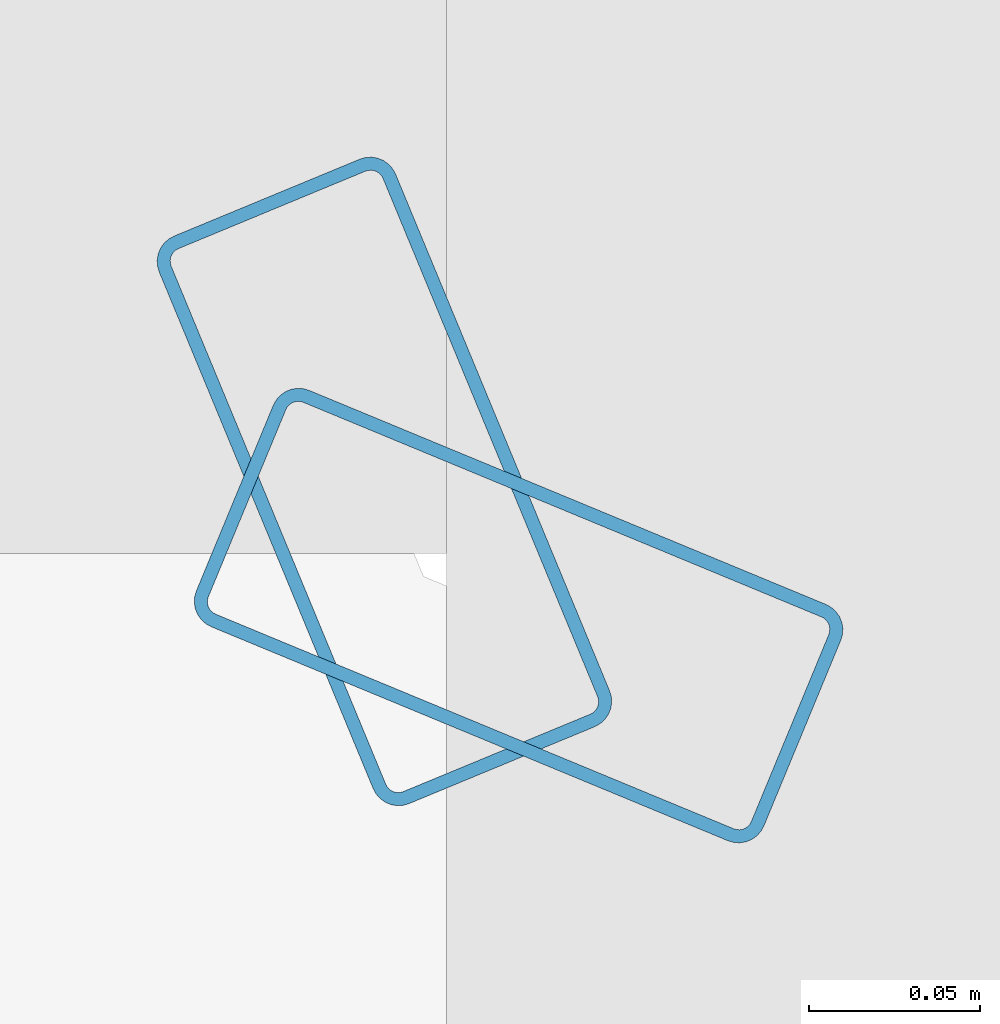
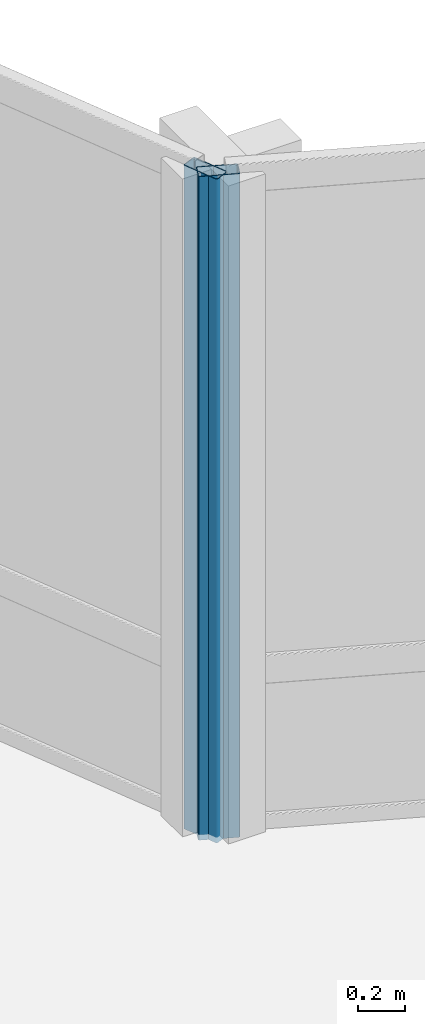
# One storey, part 8 of 27: 2 members, 2 elements without a shape of their own.
"""IFC4 building model written with IfcOpenShell, lengths in metres."""

from ifc_helpers import new_model, si_unit, direction, frame, origin, origin_2d, place, context, subcontext, project, spatial, hollow_rectangle, extrude, material, layer, layer_set, material_profile, profile_set, type_object, element, aggregate, save


model = new_model("IFC4")

# Units and contexts
model_context = context("Model", 3, precision=1e-05, world=origin(), true_north=direction((0.0, 1.0)))
body_context = subcontext(model_context, "Body", "Model", "MODEL_VIEW")
ifc_project = project(units=[si_unit("LENGTHUNIT", "METRE"), si_unit("AREAUNIT", "SQUARE_METRE"), si_unit("VOLUMEUNIT", "CUBIC_METRE"), si_unit("PLANEANGLEUNIT", "RADIAN"), si_unit("MASSUNIT", "GRAM", prefix="KILO")], contexts=[model_context])

# Site, building, storey
site_placement = place(None, origin())
site = spatial("IfcSite", under=ifc_project, at=site_placement, CompositionType="ELEMENT")
building_placement = place(site_placement, origin())
building = spatial("IfcBuilding", under=site, at=building_placement, Name="Solvaryn Broadcast Tower", CompositionType="ELEMENT")
storey_placement = place(building_placement, frame((0.0, 0.0, 181.60009765625)))
storey = spatial("IfcBuildingStorey", under=building, at=storey_placement, Name="L45", CompositionType="ELEMENT", Elevation=181.60009765625)

# Curtain wall, member
ifc_material_1 = material(Name="Aluminium and Terracotta Unitised Curtain Wall", Category="masonry")
ifc_layer = layer(ifc_material_1, 0.199951171875)
ifc_layer_set = layer_set([ifc_layer], Name="CW-SYS2-LOWMID")
curtain_wall_type = type_object("IfcCurtainWallType", Name="CW-SYS2-LOWMID", PredefinedType="NOTDEFINED", material=ifc_layer_set)
curtain_wall_1_placement = place(storey_placement, origin())
curtain_wall_1 = element("IfcCurtainWall", 1, at=curtain_wall_1_placement, inside=storey, type_object=curtain_wall_type, Name="L45 Curtain Wall CN1", PredefinedType="NOTDEFINED")
ifc_material_2 = material(Name="Anodised Aluminium 6063-T6", Category="aluminium")
ifc_material_profile = material_profile(ifc_material_2, hollow_rectangle(XDim=0.074951171875, YDim=0.179931640625, WallThickness=0.00390625, InnerFilletRadius=0.00390625, OuterFilletRadius=0.008056640625, at=origin_2d()))
ifc_profile_set = profile_set([ifc_material_profile], Name="Anodised Aluminium 6063-T6")
member_type = type_object("IfcMemberType", Name="CW-MUL-180", PredefinedType="MULLION", material=ifc_profile_set)
member_1_placement = place(storey_placement, frame((30.395751953125, 30.3564453125, 0.0), z_axis=(0.0, 0.0, 1.0), x_axis=(-0.382646127145, -0.923894983957, 0.0)))
member_1 = element("IfcMember", 2, at=member_1_placement, type_object=member_type, Name="CWS2 mullion 2", PredefinedType="MULLION", context=body_context, shape_type="SweptSolid", body=[
    extrude(hollow_rectangle(XDim=0.074951171875, YDim=0.179931640625, WallThickness=0.00390625, InnerFilletRadius=0.00390625, OuterFilletRadius=0.008056640625, at=origin_2d()), origin(), (0.0, 0.0, 1.0), 3.419921875),
])
aggregate(curtain_wall_1, [member_1])

curtain_wall_2_placement = place(storey_placement, origin())
curtain_wall_2 = element("IfcCurtainWall", 3, at=curtain_wall_2_placement, inside=storey, type_object=curtain_wall_type, Name="L45 Curtain Wall CN2", PredefinedType="NOTDEFINED")
member_2_placement = place(storey_placement, frame((30.3564453125, 30.395751953125, 0.0), z_axis=(0.0, 0.0, 1.0), x_axis=(-0.923894983957, -0.382646127145, 0.0)))
member_2 = element("IfcMember", 4, at=member_2_placement, type_object=member_type, Name="CWS2 mullion 1", PredefinedType="MULLION", context=body_context, shape_type="SweptSolid", body=[
    extrude(hollow_rectangle(XDim=0.074951171875, YDim=0.179931640625, WallThickness=0.00390625, InnerFilletRadius=0.00390625, OuterFilletRadius=0.008056640625, at=origin_2d()), origin(), (0.0, 0.0, 1.0), 3.419921875),
])
aggregate(curtain_wall_2, [member_2])

save(model, "model.ifc")
